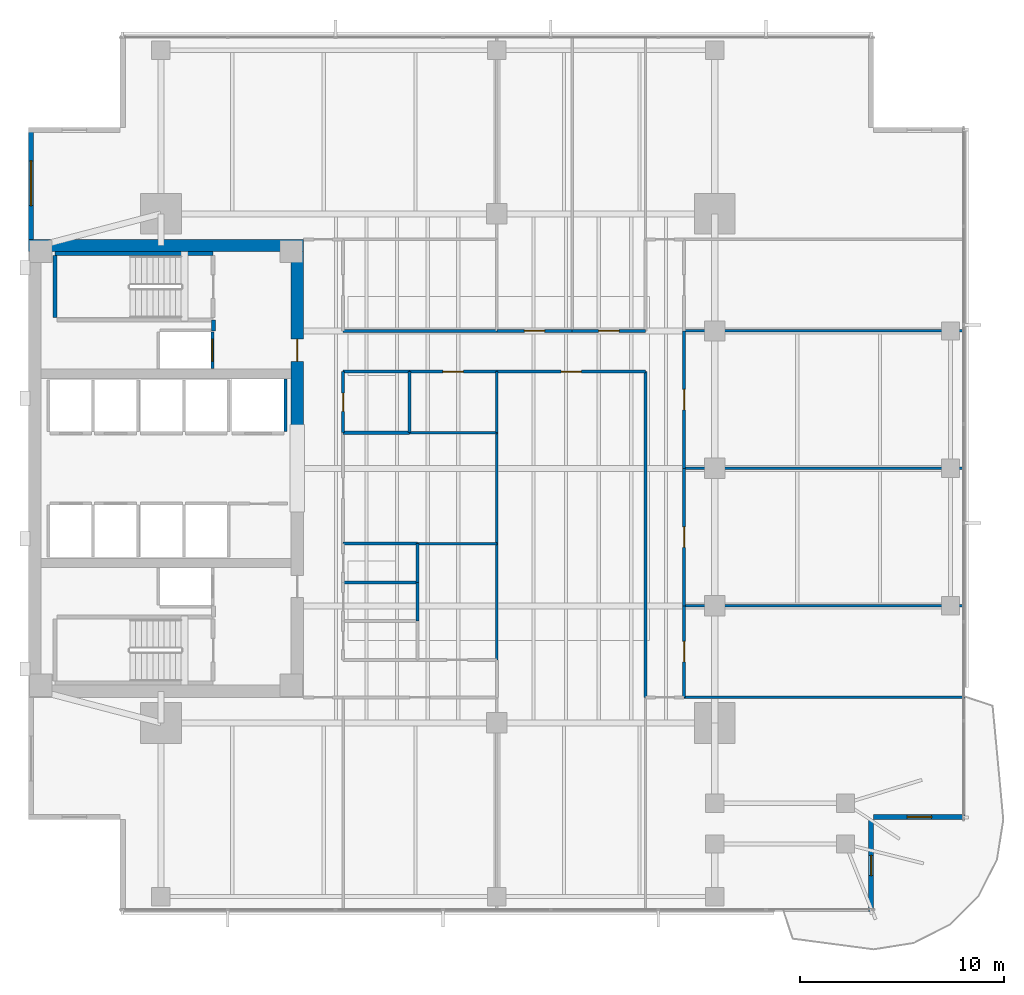
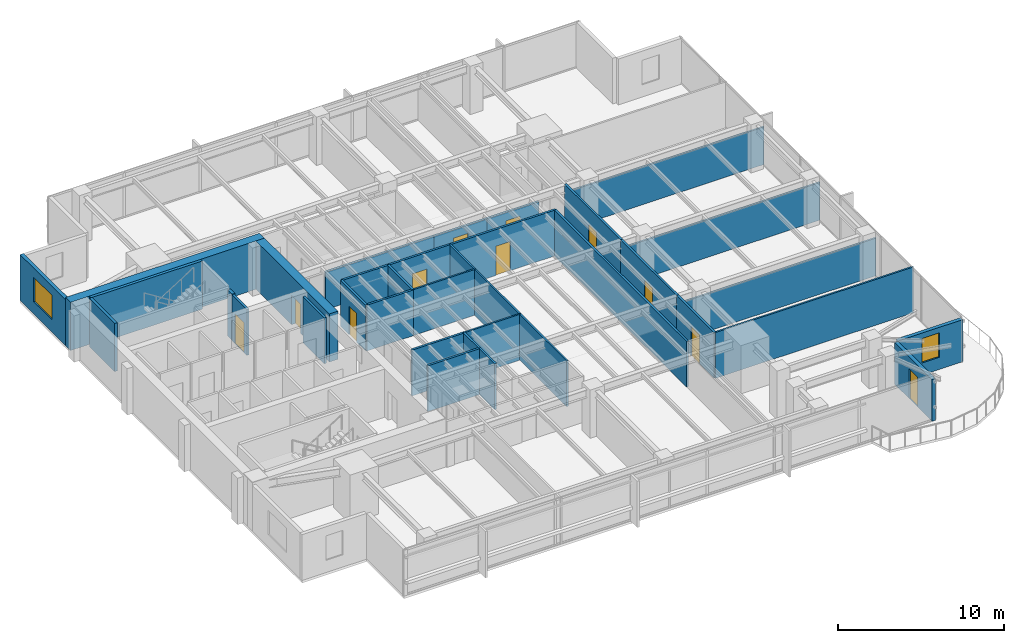
# One storey, part 9 of 14: 36 walls, 11 doors, 2 windows, 13 openings.
"""IFC4 building model written with IfcOpenShell, lengths in metres."""

from ifc_helpers import new_model, si_unit, direction, frame, frame_2d, origin, place, context, subcontext, project, spatial, rectangle, extrude, material, layer, layer_set, type_object, element, fill, save


model = new_model("IFC4")

# Units and contexts
model_context = context("Model", 3, precision=1e-05, world=origin(), true_north=direction((0.0, 1.0)))
body_context = subcontext(model_context, "Body", "Model", "MODEL_VIEW")
ifc_project = project(units=[si_unit("LENGTHUNIT", "METRE"), si_unit("AREAUNIT", "SQUARE_METRE"), si_unit("VOLUMEUNIT", "CUBIC_METRE"), si_unit("PLANEANGLEUNIT", "RADIAN"), si_unit("MASSUNIT", "GRAM", prefix="KILO")], contexts=[model_context])

# Site, building, storey
site_placement = place(None, origin())
site = spatial("IfcSite", under=ifc_project, at=site_placement, CompositionType="ELEMENT")
building_placement = place(site_placement, origin())
building = spatial("IfcBuilding", under=site, at=building_placement, Name="Kinhvarn Gate Tower", CompositionType="ELEMENT")
storey_placement = place(building_placement, frame((0.0, 0.0, 148.39990234375)))
storey = spatial("IfcBuildingStorey", under=building, at=storey_placement, Name="L39", CompositionType="ELEMENT", Elevation=148.39990234375)

# Wall
ifc_material_1 = material(Name="Concrete C60/75", Category="concrete")
ifc_layer_1 = layer(ifc_material_1, 0.60009765625)
ifc_layer_set_1 = layer_set([ifc_layer_1], Name="Concrete C60/75")
wall_type_1 = type_object("IfcWallType", Name="WL-CORE-600", PredefinedType="SHEAR", material=ifc_layer_set_1)
wall_1_placement = place(storey_placement, frame((4.5, 36.199951171875, 0.0), z_axis=(0.0, 0.0, 1.0), x_axis=(1.0, 0.0, 0.0)))
element("IfcWall", 1, at=wall_1_placement, inside=storey, type_object=wall_type_1, Name="Core North Shear Wall L39 600 mm", PredefinedType="SHEAR", context=body_context, shape_type="SweptSolid", body=[
    extrude(rectangle(XDim=13.5, YDim=0.60009765625, at=frame_2d((6.75, 0.0))), origin(), (0.0, 0.0, 1.0), 3.550048828125),
])

# Wall, opening, door
wall_2_placement = place(storey_placement, frame((17.699951171875, 27.050048828125, 0.0), z_axis=(0.0, 0.0, 1.0), x_axis=(0.0, 1.0, 0.0)))
wall_2 = element("IfcWall", 2, at=wall_2_placement, inside=storey, type_object=wall_type_1, Name="Core East-North Shear Pier L39 600 mm", PredefinedType="SHEAR", context=body_context, shape_type="SweptSolid", body=[
    extrude(rectangle(XDim=8.849853515625, YDim=0.60009765625, at=frame_2d((4.4248046875, 0.0))), origin(), (0.0, 0.0, 1.0), 3.550048828125),
])
opening_1_placement = place(wall_2_placement, frame((3.449951171875, 0.0, 0.0)))
opening_1 = element("IfcOpeningElement", 3, at=opening_1_placement, cuts=wall_2, Name="Opening FD-02", PredefinedType="OPENING", context=body_context, shape_type="SweptSolid", body=[
    extrude(rectangle(XDim=1.10009765625, YDim=2.14990234375, at=frame_2d((0.550048828125, 1.074951171875))), frame((0.0, 0.31005859375, 0.0), z_axis=(0.0, -1.0, 0.0), x_axis=(1.0, 0.0, 0.0)), (0.0, 0.0, 1.0), 0.6201171875),
])
ifc_material_2 = material(Name="Anodised aluminium AW-6063", Category="aluminium")
door_type_1 = type_object("IfcDoorType", Name="DR-FD-1100", OperationType="NOTDEFINED", PredefinedType="DOOR", material=ifc_material_2)
door_1_placement = place(opening_1_placement, origin())
door_1 = element("IfcDoor", 4, at=door_1_placement, inside=storey, type_object=door_type_1, Name="Firefighting Lobby Core Door (L39)", OperationType="SINGLE_SWING_LEFT", OverallHeight=2.14990234375, OverallWidth=1.10009765625, PredefinedType="DOOR", context=body_context, shape_type="SweptSolid", body=[
    extrude(rectangle(XDim=1.10009765625, YDim=2.14990234375, at=frame_2d((0.550048828125, 1.074951171875))), frame((0.0, 0.02490234375, 0.0), z_axis=(0.0, -1.0, 0.0), x_axis=(1.0, 0.0, 0.0)), (0.0, 0.0, 1.0), 0.050048828125),
])
fill(opening_1, door_1)

# Wall, opening, window
ifc_material_3 = material(Name="Fired architectural terracotta", Category="masonry")
ifc_layer_2 = layer(ifc_material_3, 0.25)
ifc_layer_set_2 = layer_set([ifc_layer_2], Name="Fired architectural terracotta")
wall_type_2 = type_object("IfcWallType", Name="WL-EXT-250", PredefinedType="SOLIDWALL", material=ifc_layer_set_2)
wall_3_placement = place(storey_placement, frame((4.625, 42.0, 0.0), z_axis=(0.0, 0.0, 1.0), x_axis=(0.0, -1.0, 0.0)))
wall_3 = element("IfcWall", 5, at=wall_3_placement, inside=storey, type_object=wall_type_2, Name="Exterior Solidwall Wall EW-250 (L39 West-North)", PredefinedType="SOLIDWALL", context=body_context, shape_type="SweptSolid", body=[
    extrude(rectangle(XDim=5.5, YDim=0.25, at=frame_2d((2.75, 0.0))), origin(), (0.0, 0.0, 1.0), 3.3701171875),
])
opening_2_placement = place(wall_3_placement, frame((1.64990234375, 0.0, 0.89990234375)))
opening_2 = element("IfcOpeningElement", 6, at=opening_2_placement, cuts=wall_3, Name="Opening WN-01", PredefinedType="OPENING", context=body_context, shape_type="SweptSolid", body=[
    extrude(rectangle(XDim=2.199951171875, YDim=1.800048828125, at=frame_2d((1.10009765625, 0.89990234375))), frame((0.0, 0.135009765625, 0.0), z_axis=(0.0, -1.0, 0.0), x_axis=(1.0, 0.0, 0.0)), (0.0, 0.0, 1.0), 0.27001953125),
])
ifc_material_4 = material(Name="Clear low-e double glazing", Category="glass")
window_type_1 = type_object("IfcWindowType", Name="WIN-RIB-2200", PartitioningType="SINGLE_PANEL", PredefinedType="WINDOW", material=ifc_material_4)
window_1_placement = place(opening_2_placement, origin())
window_1 = element("IfcWindow", 7, at=window_1_placement, inside=storey, type_object=window_type_1, Name="West Flank Double-Glazed Ribbon Window 2200x1800 mm (L39)", OverallHeight=1.800048828125, OverallWidth=2.199951171875, PartitioningType="SINGLE_PANEL", PredefinedType="WINDOW", context=body_context, shape_type="SweptSolid", body=[
    extrude(rectangle(XDim=2.199951171875, YDim=1.800048828125, at=frame_2d((1.10009765625, 0.89990234375))), frame((0.0, 0.030029296875, 0.0), z_axis=(0.0, -1.0, 0.0), x_axis=(1.0, 0.0, 0.0)), (0.0, 0.0, 1.0), 0.06005859375),
])
fill(opening_2, window_1)

# Wall, opening, door
wall_4_placement = place(storey_placement, frame((45.875, 3.5, 0.0), z_axis=(0.0, 0.0, 1.0), x_axis=(0.0, 1.0, 0.0)))
wall_4 = element("IfcWall", 8, at=wall_4_placement, inside=storey, type_object=wall_type_2, Name="Exterior Solidwall Wall EW-250 (L39 SE-Notch-Door)", PredefinedType="SOLIDWALL", context=body_context, shape_type="SweptSolid", body=[
    extrude(rectangle(XDim=4.5, YDim=0.25, at=frame_2d((2.25, 0.0))), origin(), (0.0, 0.0, 1.0), 3.070068359375),
])
opening_3_placement = place(wall_4_placement, frame((1.75, 0.0, 0.0)))
opening_3 = element("IfcOpeningElement", 9, at=opening_3_placement, cuts=wall_4, Name="Opening BD-01", PredefinedType="OPENING", context=body_context, shape_type="SweptSolid", body=[
    extrude(rectangle(XDim=1.0, YDim=2.199951171875, at=frame_2d((0.5, 1.10009765625))), frame((0.0, 0.135009765625, 0.0), z_axis=(0.0, -1.0, 0.0), x_axis=(1.0, 0.0, 0.0)), (0.0, 0.0, 1.0), 0.27001953125),
])
door_type_2 = type_object("IfcDoorType", Name="DR-BAL-1000", OperationType="NOTDEFINED", PredefinedType="DOOR", material=ifc_material_4)
door_2_placement = place(opening_3_placement, frame((1.0, 0.0, 0.0), z_axis=(0.0, 0.0, 1.0), x_axis=(-1.0, 0.0, 0.0)))
door_2 = element("IfcDoor", 10, at=door_2_placement, inside=storey, type_object=door_type_2, Name="S-Carve Balcony Door BD-01 (L39)", OperationType="SINGLE_SWING_LEFT", OverallHeight=2.199951171875, OverallWidth=1.0, PredefinedType="DOOR", context=body_context, shape_type="SweptSolid", body=[
    extrude(rectangle(XDim=1.0, YDim=2.199951171875, at=frame_2d((0.5, 1.10009765625))), frame((0.0, 0.02490234375, 0.0), z_axis=(0.0, -1.0, 0.0), x_axis=(1.0, 0.0, 0.0)), (0.0, 0.0, 1.0), 0.050048828125),
])
fill(opening_3, door_2)

# Wall, opening, window
wall_5_placement = place(storey_placement, frame((46.0, 8.125, 0.0), z_axis=(0.0, 0.0, 1.0), x_axis=(1.0, 0.0, 0.0)))
wall_5 = element("IfcWall", 11, at=wall_5_placement, inside=storey, type_object=wall_type_2, Name="Exterior Solidwall Wall EW-250 (L39 SE-Notch-Win)", PredefinedType="SOLIDWALL", context=body_context, shape_type="SweptSolid", body=[
    extrude(rectangle(XDim=4.5, YDim=0.25, at=frame_2d((2.25, 0.0))), origin(), (0.0, 0.0, 1.0), 3.10009765625),
])
opening_4_placement = place(wall_5_placement, frame((1.64990234375, 0.0, 0.89990234375)))
opening_4 = element("IfcOpeningElement", 12, at=opening_4_placement, cuts=wall_5, Name="Opening WN-02", PredefinedType="OPENING", context=body_context, shape_type="SweptSolid", body=[
    extrude(rectangle(XDim=1.199951171875, YDim=1.800048828125, at=frame_2d((0.60009765625, 0.89990234375))), frame((0.0, 0.135009765625, 0.0), z_axis=(0.0, -1.0, 0.0), x_axis=(1.0, 0.0, 0.0)), (0.0, 0.0, 1.0), 0.27001953125),
])
window_type_2 = type_object("IfcWindowType", Name="WIN-NTC-1200", PartitioningType="SINGLE_PANEL", PredefinedType="WINDOW", material=ifc_material_4)
window_2_placement = place(opening_4_placement, origin())
window_2 = element("IfcWindow", 13, at=window_2_placement, inside=storey, type_object=window_type_2, Name="Recessed Corner Notch Punched Window 1200x1800 mm (L39)", OverallHeight=1.800048828125, OverallWidth=1.199951171875, PartitioningType="SINGLE_PANEL", PredefinedType="WINDOW", context=body_context, shape_type="SweptSolid", body=[
    extrude(rectangle(XDim=1.199951171875, YDim=1.800048828125, at=frame_2d((0.60009765625, 0.89990234375))), frame((0.0, 0.030029296875, 0.0), z_axis=(0.0, -1.0, 0.0), x_axis=(1.0, 0.0, 0.0)), (0.0, 0.0, 1.0), 0.06005859375),
])
fill(opening_4, window_2)

# Walls
ifc_material_5 = material(Name="Gypsum acoustic partition board")
ifc_layer_3 = layer(ifc_material_5, 0.14990234375)
ifc_layer_set_3 = layer_set([ifc_layer_3], Name="Gypsum acoustic partition board")
wall_type_3 = type_object("IfcWallType", Name="WL-PLM-150", PredefinedType="PLUMBINGWALL", material=ifc_layer_set_3)
wall_6_placement = place(storey_placement, frame((19.949951171875, 19.64990234375, 0.0), z_axis=(0.0, 0.0, 1.0), x_axis=(1.0, 0.0, 0.0)))
element("IfcWall", 14, at=wall_6_placement, inside=storey, type_object=wall_type_3, Name="Interior Partition PLW-150 (L39)", PredefinedType="PLUMBINGWALL", context=body_context, shape_type="SweptSolid", body=[
    extrude(rectangle(XDim=3.650146484375, YDim=0.14990234375, at=frame_2d((1.8251953125, 0.0))), origin(), (0.0, 0.0, 1.0), 3.3701171875),
])
wall_7_placement = place(storey_placement, frame((23.60009765625, 17.75, 0.0), z_axis=(0.0, 0.0, 1.0), x_axis=(0.0, 1.0, 0.0)))
element("IfcWall", 15, at=wall_7_placement, inside=storey, type_object=wall_type_3, Name="Interior Partition PLW-150 (L39)", PredefinedType="PLUMBINGWALL", context=body_context, shape_type="SweptSolid", body=[
    extrude(rectangle(XDim=1.89990234375, YDim=0.14990234375, at=frame_2d((0.949951171875, 0.0))), origin(), (0.0, 0.0, 1.0), 3.3701171875),
])
wall_8_placement = place(storey_placement, frame((23.60009765625, 19.64990234375, 0.0), z_axis=(0.0, 0.0, 1.0), x_axis=(0.0, 1.0, 0.0)))
element("IfcWall", 16, at=wall_8_placement, inside=storey, type_object=wall_type_3, Name="Interior Partition PLW-150 (L39)", PredefinedType="PLUMBINGWALL", context=body_context, shape_type="SweptSolid", body=[
    extrude(rectangle(XDim=1.900146484375, YDim=0.14990234375, at=frame_2d((0.9501953125, 0.0))), origin(), (0.0, 0.0, 1.0), 3.3701171875),
])
wall_9_placement = place(storey_placement, frame((19.949951171875, 21.550048828125, 0.0), z_axis=(0.0, 0.0, 1.0), x_axis=(1.0, 0.0, 0.0)))
element("IfcWall", 17, at=wall_9_placement, inside=storey, type_object=wall_type_3, Name="Interior Partition PLW-150 (L39)", PredefinedType="PLUMBINGWALL", context=body_context, shape_type="SweptSolid", body=[
    extrude(rectangle(XDim=3.650146484375, YDim=0.14990234375, at=frame_2d((1.8251953125, 0.0))), origin(), (0.0, 0.0, 1.0), 3.3701171875),
])
wall_10_placement = place(storey_placement, frame((19.949951171875, 27.0, 0.0), z_axis=(0.0, 0.0, 1.0), x_axis=(1.0, 0.0, 0.0)))
element("IfcWall", 18, at=wall_10_placement, inside=storey, type_object=wall_type_3, Name="Interior Partition PLW-150 (L39)", PredefinedType="PLUMBINGWALL", context=body_context, shape_type="SweptSolid", body=[
    extrude(rectangle(XDim=3.25, YDim=0.14990234375, at=frame_2d((1.625, 0.0))), origin(), (0.0, 0.0, 1.0), 3.3701171875),
])
wall_11_placement = place(storey_placement, frame((23.199951171875, 27.0, 0.0), z_axis=(0.0, 0.0, 1.0), x_axis=(0.0, 1.0, 0.0)))
element("IfcWall", 19, at=wall_11_placement, inside=storey, type_object=wall_type_3, Name="Interior Partition PLW-150 (L39)", PredefinedType="PLUMBINGWALL", context=body_context, shape_type="SweptSolid", body=[
    extrude(rectangle(XDim=3.0, YDim=0.14990234375, at=frame_2d((1.5, 0.0))), origin(), (0.0, 0.0, 1.0), 3.3701171875),
])

# Wall, opening, door
ifc_layer_4 = layer(ifc_material_5, 0.14990234375)
ifc_layer_set_4 = layer_set([ifc_layer_4], Name="Gypsum acoustic partition board")
wall_type_4 = type_object("IfcWallType", Name="WL-PLM-150F", PredefinedType="PLUMBINGWALL", material=ifc_layer_set_4)
wall_12_placement = place(storey_placement, frame((19.949951171875, 27.0, 0.0), z_axis=(0.0, 0.0, 1.0), x_axis=(0.0, 1.0, 0.0)))
wall_12 = element("IfcWall", 20, at=wall_12_placement, inside=storey, type_object=wall_type_4, Name="Interior Partition PLW-150F (L39)", PredefinedType="PLUMBINGWALL", context=body_context, shape_type="SweptSolid", body=[
    extrude(rectangle(XDim=3.0, YDim=0.14990234375, at=frame_2d((1.5, 0.0))), origin(), (0.0, 0.0, 1.0), 3.3701171875),
])
opening_5_placement = place(wall_12_placement, frame((1.050048828125, 0.0, 0.0)))
opening_5 = element("IfcOpeningElement", 21, at=opening_5_placement, cuts=wall_12, Name="Opening FD-04", PredefinedType="OPENING", context=body_context, shape_type="SweptSolid", body=[
    extrude(rectangle(XDim=0.89990234375, YDim=2.10009765625, at=frame_2d((0.449951171875, 1.050048828125))), frame((0.0, 0.0849609375, 0.0), z_axis=(0.0, -1.0, 0.0), x_axis=(1.0, 0.0, 0.0)), (0.0, 0.0, 1.0), 0.169921875),
])
door_type_3 = type_object("IfcDoorType", Name="DR-FD-900", OperationType="NOTDEFINED", PredefinedType="DOOR", material=ifc_material_2)
door_3_placement = place(opening_5_placement, origin())
door_3 = element("IfcDoor", 22, at=door_3_placement, inside=storey, type_object=door_type_3, Name="Rated Riser & Service Closet Fire Door 900x2100 mm (L39)", OperationType="SINGLE_SWING_RIGHT", OverallHeight=2.10009765625, OverallWidth=0.89990234375, PredefinedType="DOOR", context=body_context, shape_type="SweptSolid", body=[
    extrude(rectangle(XDim=0.89990234375, YDim=2.10009765625, at=frame_2d((0.449951171875, 1.050048828125))), frame((0.0, 0.02490234375, 0.0), z_axis=(0.0, -1.0, 0.0), x_axis=(1.0, 0.0, 0.0)), (0.0, 0.0, 1.0), 0.050048828125),
])
fill(opening_5, door_3)

# Walls
wall_13_placement = place(storey_placement, frame((19.949951171875, 30.0, 0.0), z_axis=(0.0, 0.0, 1.0), x_axis=(1.0, 0.0, 0.0)))
element("IfcWall", 23, at=wall_13_placement, inside=storey, type_object=wall_type_4, Name="Interior Partition PLW-150F (L39)", PredefinedType="PLUMBINGWALL", context=body_context, shape_type="SweptSolid", body=[
    extrude(rectangle(XDim=3.25, YDim=0.14990234375, at=frame_2d((1.625, 0.0))), origin(), (0.0, 0.0, 1.0), 3.3701171875),
])
ifc_layer_5 = layer(ifc_material_5, 0.1201171875)
ifc_layer_set_5 = layer_set([ifc_layer_5], Name="Gypsum acoustic partition board")
wall_type_5 = type_object("IfcWallType", Name="WL-PRT-120", PredefinedType="PARTITIONING", material=ifc_layer_set_5)
wall_14_placement = place(storey_placement, frame((23.60009765625, 21.550048828125, 0.0), z_axis=(0.0, 0.0, 1.0), x_axis=(1.0, 0.0, 0.0)))
element("IfcWall", 24, at=wall_14_placement, inside=storey, type_object=wall_type_5, Name="Interior Partition PW-120 (L39)", PredefinedType="PARTITIONING", context=body_context, shape_type="SweptSolid", body=[
    extrude(rectangle(XDim=3.89990234375, YDim=0.1201171875, at=frame_2d((1.949951171875, 0.0))), origin(), (0.0, 0.0, 1.0), 3.3701171875),
])
wall_15_placement = place(storey_placement, frame((27.5, 15.85009765625, 0.0), z_axis=(0.0, 0.0, 1.0), x_axis=(0.0, 1.0, 0.0)))
element("IfcWall", 25, at=wall_15_placement, inside=storey, type_object=wall_type_5, Name="Interior Partition PW-120 (L39)", PredefinedType="PARTITIONING", context=body_context, shape_type="SweptSolid", body=[
    extrude(rectangle(XDim=5.699951171875, YDim=0.1201171875, at=frame_2d((2.85009765625, 0.0))), origin(), (0.0, 0.0, 1.0), 3.3701171875),
])
wall_16_placement = place(storey_placement, frame((23.199951171875, 27.0, 0.0), z_axis=(0.0, 0.0, 1.0), x_axis=(1.0, 0.0, 0.0)))
element("IfcWall", 26, at=wall_16_placement, inside=storey, type_object=wall_type_5, Name="Interior Partition PW-120 (L39)", PredefinedType="PARTITIONING", context=body_context, shape_type="SweptSolid", body=[
    extrude(rectangle(XDim=4.300048828125, YDim=0.1201171875, at=frame_2d((2.14990234375, 0.0))), origin(), (0.0, 0.0, 1.0), 3.3701171875),
])
wall_17_placement = place(storey_placement, frame((27.5, 21.550048828125, 0.0), z_axis=(0.0, 0.0, 1.0), x_axis=(0.0, 1.0, 0.0)))
element("IfcWall", 27, at=wall_17_placement, inside=storey, type_object=wall_type_5, Name="Interior Partition PW-120 (L39)", PredefinedType="PARTITIONING", context=body_context, shape_type="SweptSolid", body=[
    extrude(rectangle(XDim=5.449951171875, YDim=0.1201171875, at=frame_2d((2.72509765625, 0.0))), origin(), (0.0, 0.0, 1.0), 3.3701171875),
])
wall_18_placement = place(storey_placement, frame((27.5, 27.0, 0.0), z_axis=(0.0, 0.0, 1.0), x_axis=(0.0, 1.0, 0.0)))
element("IfcWall", 28, at=wall_18_placement, inside=storey, type_object=wall_type_5, Name="Interior Partition PW-120 (L39)", PredefinedType="PARTITIONING", context=body_context, shape_type="SweptSolid", body=[
    extrude(rectangle(XDim=3.0, YDim=0.1201171875, at=frame_2d((1.5, 0.0))), origin(), (0.0, 0.0, 1.0), 3.3701171875),
])
wall_19_placement = place(storey_placement, frame((36.699951171875, 14.0, 0.0), z_axis=(0.0, 0.0, 1.0), x_axis=(1.0, 0.0, 0.0)))
element("IfcWall", 29, at=wall_19_placement, inside=storey, type_object=wall_type_5, Name="Interior Partition PW-120 (L39)", PredefinedType="PARTITIONING", context=body_context, shape_type="SweptSolid", body=[
    extrude(rectangle(XDim=13.7900390625, YDim=0.1201171875, at=frame_2d((6.89501953125, 0.0))), origin(), (0.0, 0.0, 1.0), 3.3701171875),
])
for number, where, z_axis, x_axis, name in (
    (30, (36.699951171875, 18.5, 0.0), (0.0, 0.0, 1.0), (1.0, 0.0, 0.0), "Interior Partition PW-120 (L39)"),
    (31, (36.699951171875, 25.25, 0.0), (0.0, 0.0, 1.0), (1.0, 0.0, 0.0), "Interior Partition PW-120 (L39)"),
    (32, (36.699951171875, 32.0, 0.0), (0.0, 0.0, 1.0), (1.0, 0.0, 0.0), "Interior Partition PW-120 (L39)"),
):
    element("IfcWall", number, at=place(storey_placement, frame(where, z_axis=z_axis, x_axis=x_axis)), inside=storey, type_object=wall_type_5, Name=name, PredefinedType="PARTITIONING", context=body_context, shape_type="SweptSolid", body=[
        extrude(rectangle(XDim=13.7900390625, YDim=0.1201171875, at=frame_2d((6.89501953125, 0.0))), origin(), (0.0, 0.0, 1.0), 2.77001953125),
    ])

# Wall, opening, door
ifc_layer_6 = layer(ifc_material_5, 0.14990234375)
ifc_layer_set_6 = layer_set([ifc_layer_6], Name="Gypsum acoustic partition board")
wall_type_6 = type_object("IfcWallType", Name="WL-PRT-150F", PredefinedType="PARTITIONING", material=ifc_layer_set_6)
wall_20_placement = place(storey_placement, frame((23.199951171875, 30.0, 0.0), z_axis=(0.0, 0.0, 1.0), x_axis=(1.0, 0.0, 0.0)))
wall_20 = element("IfcWall", 33, at=wall_20_placement, inside=storey, type_object=wall_type_6, Name="Interior Partition PW-150F (L39)", PredefinedType="PARTITIONING", context=body_context, shape_type="SweptSolid", body=[
    extrude(rectangle(XDim=4.300048828125, YDim=0.14990234375, at=frame_2d((2.14990234375, 0.0))), origin(), (0.0, 0.0, 1.0), 3.3701171875),
])
opening_6_placement = place(wall_20_placement, frame((1.64990234375, 0.0, 0.0)))
opening_6 = element("IfcOpeningElement", 34, at=opening_6_placement, cuts=wall_20, Name="Opening ID-02", PredefinedType="OPENING", context=body_context, shape_type="SweptSolid", body=[
    extrude(rectangle(XDim=1.0, YDim=2.14990234375, at=frame_2d((0.5, 1.074951171875))), frame((0.0, 0.0849609375, 0.0), z_axis=(0.0, -1.0, 0.0), x_axis=(1.0, 0.0, 0.0)), (0.0, 0.0, 1.0), 0.169921875),
])
door_type_4 = type_object("IfcDoorType", Name="DR-INT-1000", OperationType="NOTDEFINED", PredefinedType="DOOR", material=ifc_material_2)
door_4_placement = place(opening_6_placement, origin())
door_4 = element("IfcDoor", 35, at=door_4_placement, inside=storey, type_object=door_type_4, Name="Standard Office & Meeting Room Door 1000x2150 mm (L39)", OperationType="SINGLE_SWING_RIGHT", OverallHeight=2.14990234375, OverallWidth=1.0, PredefinedType="DOOR", context=body_context, shape_type="SweptSolid", body=[
    extrude(rectangle(XDim=1.0, YDim=2.14990234375, at=frame_2d((0.5, 1.074951171875))), frame((0.0, 0.02490234375, 0.0), z_axis=(0.0, -1.0, 0.0), x_axis=(1.0, 0.0, 0.0)), (0.0, 0.0, 1.0), 0.050048828125),
])
fill(opening_6, door_4)

# Wall
wall_21_placement = place(storey_placement, frame((19.949951171875, 32.0, 0.0), z_axis=(0.0, 0.0, 1.0), x_axis=(1.0, 0.0, 0.0)))
element("IfcWall", 36, at=wall_21_placement, inside=storey, type_object=wall_type_6, Name="Interior Partition PW-150F (L39)", PredefinedType="PARTITIONING", context=body_context, shape_type="SweptSolid", body=[
    extrude(rectangle(XDim=7.550048828125, YDim=0.14990234375, at=frame_2d((3.77490234375, 0.0))), origin(), (0.0, 0.0, 1.0), 2.77001953125),
])

# Wall, opening, door
wall_22_placement = place(storey_placement, frame((27.5, 30.0, 0.0), z_axis=(0.0, 0.0, 1.0), x_axis=(1.0, 0.0, 0.0)))
wall_22 = element("IfcWall", 37, at=wall_22_placement, inside=storey, type_object=wall_type_6, Name="Interior Partition PW-150F (L39)", PredefinedType="PARTITIONING", context=body_context, shape_type="SweptSolid", body=[
    extrude(rectangle(XDim=7.300048828125, YDim=0.14990234375, at=frame_2d((3.64990234375, 0.0))), origin(), (0.0, 0.0, 1.0), 3.3701171875),
])
opening_7_placement = place(wall_22_placement, frame((3.14990234375, 0.0, 0.0)))
opening_7 = element("IfcOpeningElement", 38, at=opening_7_placement, cuts=wall_22, Name="Opening ID-02", PredefinedType="OPENING", context=body_context, shape_type="SweptSolid", body=[
    extrude(rectangle(XDim=1.0, YDim=2.14990234375, at=frame_2d((0.5, 1.074951171875))), frame((0.0, 0.0849609375, 0.0), z_axis=(0.0, -1.0, 0.0), x_axis=(1.0, 0.0, 0.0)), (0.0, 0.0, 1.0), 0.169921875),
])
door_5_placement = place(opening_7_placement, origin())
door_5 = element("IfcDoor", 39, at=door_5_placement, inside=storey, type_object=door_type_4, Name="Standard Office & Meeting Room Door 1000x2150 mm (L39)", OperationType="SINGLE_SWING_LEFT", OverallHeight=2.14990234375, OverallWidth=1.0, PredefinedType="DOOR", context=body_context, shape_type="SweptSolid", body=[
    extrude(rectangle(XDim=1.0, YDim=2.14990234375, at=frame_2d((0.5, 1.074951171875))), frame((0.0, 0.02490234375, 0.0), z_axis=(0.0, -1.0, 0.0), x_axis=(1.0, 0.0, 0.0)), (0.0, 0.0, 1.0), 0.050048828125),
])
fill(opening_7, door_5)

wall_23_placement = place(storey_placement, frame((27.5, 32.0, 0.0), z_axis=(0.0, 0.0, 1.0), x_axis=(1.0, 0.0, 0.0)))
wall_23 = element("IfcWall", 40, at=wall_23_placement, inside=storey, type_object=wall_type_6, Name="Interior Partition PW-150F (L39)", PredefinedType="PARTITIONING", context=body_context, shape_type="SweptSolid", body=[
    extrude(rectangle(XDim=3.699951171875, YDim=0.14990234375, at=frame_2d((1.85009765625, 0.0))), origin(), (0.0, 0.0, 1.0), 2.77001953125),
])
opening_8_placement = place(wall_23_placement, frame((1.35009765625, 0.0, 0.0)))
opening_8 = element("IfcOpeningElement", 41, at=opening_8_placement, cuts=wall_23, Name="Opening ID-02", PredefinedType="OPENING", context=body_context, shape_type="SweptSolid", body=[
    extrude(rectangle(XDim=1.0, YDim=2.14990234375, at=frame_2d((0.5, 1.074951171875))), frame((0.0, 0.0849609375, 0.0), z_axis=(0.0, -1.0, 0.0), x_axis=(1.0, 0.0, 0.0)), (0.0, 0.0, 1.0), 0.169921875),
])
door_6_placement = place(opening_8_placement, origin())
door_6 = element("IfcDoor", 42, at=door_6_placement, inside=storey, type_object=door_type_4, Name="Standard Office & Meeting Room Door 1000x2150 mm (L39)", OperationType="SINGLE_SWING_RIGHT", OverallHeight=2.14990234375, OverallWidth=1.0, PredefinedType="DOOR", context=body_context, shape_type="SweptSolid", body=[
    extrude(rectangle(XDim=1.0, YDim=2.14990234375, at=frame_2d((0.5, 1.074951171875))), frame((0.0, 0.02490234375, 0.0), z_axis=(0.0, -1.0, 0.0), x_axis=(1.0, 0.0, 0.0)), (0.0, 0.0, 1.0), 0.050048828125),
])
fill(opening_8, door_6)

wall_24_placement = place(storey_placement, frame((31.199951171875, 32.0, 0.0), z_axis=(0.0, 0.0, 1.0), x_axis=(1.0, 0.0, 0.0)))
wall_24 = element("IfcWall", 43, at=wall_24_placement, inside=storey, type_object=wall_type_6, Name="Interior Partition PW-150F (L39)", PredefinedType="PARTITIONING", context=body_context, shape_type="SweptSolid", body=[
    extrude(rectangle(XDim=3.60009765625, YDim=0.14990234375, at=frame_2d((1.800048828125, 0.0))), origin(), (0.0, 0.0, 1.0), 2.77001953125),
])
opening_9_placement = place(wall_24_placement, frame((1.300048828125, 0.0, 0.0)))
opening_9 = element("IfcOpeningElement", 44, at=opening_9_placement, cuts=wall_24, Name="Opening ID-02", PredefinedType="OPENING", context=body_context, shape_type="SweptSolid", body=[
    extrude(rectangle(XDim=1.0, YDim=2.14990234375, at=frame_2d((0.5, 1.074951171875))), frame((0.0, 0.0849609375, 0.0), z_axis=(0.0, -1.0, 0.0), x_axis=(1.0, 0.0, 0.0)), (0.0, 0.0, 1.0), 0.169921875),
])
door_7_placement = place(opening_9_placement, origin())
door_7 = element("IfcDoor", 45, at=door_7_placement, inside=storey, type_object=door_type_4, Name="Standard Office & Meeting Room Door 1000x2150 mm (L39)", OperationType="SINGLE_SWING_LEFT", OverallHeight=2.14990234375, OverallWidth=1.0, PredefinedType="DOOR", context=body_context, shape_type="SweptSolid", body=[
    extrude(rectangle(XDim=1.0, YDim=2.14990234375, at=frame_2d((0.5, 1.074951171875))), frame((0.0, 0.02490234375, 0.0), z_axis=(0.0, -1.0, 0.0), x_axis=(1.0, 0.0, 0.0)), (0.0, 0.0, 1.0), 0.050048828125),
])
fill(opening_9, door_7)

# Wall
wall_25_placement = place(storey_placement, frame((34.800048828125, 14.0, 0.0), z_axis=(0.0, 0.0, 1.0), x_axis=(0.0, 1.0, 0.0)))
element("IfcWall", 46, at=wall_25_placement, inside=storey, type_object=wall_type_6, Name="Interior Partition PW-150F (L39)", PredefinedType="PARTITIONING", context=body_context, shape_type="SweptSolid", body=[
    extrude(rectangle(XDim=16.0, YDim=0.14990234375, at=frame_2d((8.0, 0.0))), origin(), (0.0, 0.0, 1.0), 3.3701171875),
])

# Wall, opening, door
wall_26_placement = place(storey_placement, frame((36.699951171875, 14.0, 0.0), z_axis=(0.0, 0.0, 1.0), x_axis=(0.0, 1.0, 0.0)))
wall_26 = element("IfcWall", 47, at=wall_26_placement, inside=storey, type_object=wall_type_6, Name="Interior Partition PW-150F (L39)", PredefinedType="PARTITIONING", context=body_context, shape_type="SweptSolid", body=[
    extrude(rectangle(XDim=4.5, YDim=0.14990234375, at=frame_2d((2.25, 0.0))), origin(), (0.0, 0.0, 1.0), 3.3701171875),
])
opening_10_placement = place(wall_26_placement, frame((1.75, 0.0, 0.0)))
opening_10 = element("IfcOpeningElement", 48, at=opening_10_placement, cuts=wall_26, Name="Opening ID-02", PredefinedType="OPENING", context=body_context, shape_type="SweptSolid", body=[
    extrude(rectangle(XDim=1.0, YDim=2.14990234375, at=frame_2d((0.5, 1.074951171875))), frame((0.0, 0.0849609375, 0.0), z_axis=(0.0, -1.0, 0.0), x_axis=(1.0, 0.0, 0.0)), (0.0, 0.0, 1.0), 0.169921875),
])
door_8_placement = place(opening_10_placement, origin())
door_8 = element("IfcDoor", 49, at=door_8_placement, inside=storey, type_object=door_type_4, Name="Standard Office & Meeting Room Door 1000x2150 mm (L39)", OperationType="SINGLE_SWING_LEFT", OverallHeight=2.14990234375, OverallWidth=1.0, PredefinedType="DOOR", context=body_context, shape_type="SweptSolid", body=[
    extrude(rectangle(XDim=1.0, YDim=2.14990234375, at=frame_2d((0.5, 1.074951171875))), frame((0.0, 0.02490234375, 0.0), z_axis=(0.0, -1.0, 0.0), x_axis=(1.0, 0.0, 0.0)), (0.0, 0.0, 1.0), 0.050048828125),
])
fill(opening_10, door_8)

wall_27_placement = place(storey_placement, frame((36.699951171875, 18.5, 0.0), z_axis=(0.0, 0.0, 1.0), x_axis=(0.0, 1.0, 0.0)))
wall_27 = element("IfcWall", 50, at=wall_27_placement, inside=storey, type_object=wall_type_6, Name="Interior Partition PW-150F (L39)", PredefinedType="PARTITIONING", context=body_context, shape_type="SweptSolid", body=[
    extrude(rectangle(XDim=6.75, YDim=0.14990234375, at=frame_2d((3.375, 0.0))), origin(), (0.0, 0.0, 1.0), 3.3701171875),
])
opening_11_placement = place(wall_27_placement, frame((2.875, 0.0, 0.0)))
opening_11 = element("IfcOpeningElement", 51, at=opening_11_placement, cuts=wall_27, Name="Opening ID-02", PredefinedType="OPENING", context=body_context, shape_type="SweptSolid", body=[
    extrude(rectangle(XDim=1.0, YDim=2.14990234375, at=frame_2d((0.5, 1.074951171875))), frame((0.0, 0.0849609375, 0.0), z_axis=(0.0, -1.0, 0.0), x_axis=(1.0, 0.0, 0.0)), (0.0, 0.0, 1.0), 0.169921875),
])
door_9_placement = place(opening_11_placement, origin())
door_9 = element("IfcDoor", 52, at=door_9_placement, inside=storey, type_object=door_type_4, Name="Standard Office & Meeting Room Door 1000x2150 mm (L39)", OperationType="SINGLE_SWING_RIGHT", OverallHeight=2.14990234375, OverallWidth=1.0, PredefinedType="DOOR", context=body_context, shape_type="SweptSolid", body=[
    extrude(rectangle(XDim=1.0, YDim=2.14990234375, at=frame_2d((0.5, 1.074951171875))), frame((0.0, 0.02490234375, 0.0), z_axis=(0.0, -1.0, 0.0), x_axis=(1.0, 0.0, 0.0)), (0.0, 0.0, 1.0), 0.050048828125),
])
fill(opening_11, door_9)

wall_28_placement = place(storey_placement, frame((36.699951171875, 25.25, 0.0), z_axis=(0.0, 0.0, 1.0), x_axis=(0.0, 1.0, 0.0)))
wall_28 = element("IfcWall", 53, at=wall_28_placement, inside=storey, type_object=wall_type_6, Name="Interior Partition PW-150F (L39)", PredefinedType="PARTITIONING", context=body_context, shape_type="SweptSolid", body=[
    extrude(rectangle(XDim=6.75, YDim=0.14990234375, at=frame_2d((3.375, 0.0))), origin(), (0.0, 0.0, 1.0), 3.3701171875),
])
opening_12_placement = place(wall_28_placement, frame((2.875, 0.0, 0.0)))
opening_12 = element("IfcOpeningElement", 54, at=opening_12_placement, cuts=wall_28, Name="Opening ID-02", PredefinedType="OPENING", context=body_context, shape_type="SweptSolid", body=[
    extrude(rectangle(XDim=1.0, YDim=2.14990234375, at=frame_2d((0.5, 1.074951171875))), frame((0.0, 0.0849609375, 0.0), z_axis=(0.0, -1.0, 0.0), x_axis=(1.0, 0.0, 0.0)), (0.0, 0.0, 1.0), 0.169921875),
])
door_10_placement = place(opening_12_placement, origin())
door_10 = element("IfcDoor", 55, at=door_10_placement, inside=storey, type_object=door_type_4, Name="Standard Office & Meeting Room Door 1000x2150 mm (L39)", OperationType="SINGLE_SWING_LEFT", OverallHeight=2.14990234375, OverallWidth=1.0, PredefinedType="DOOR", context=body_context, shape_type="SweptSolid", body=[
    extrude(rectangle(XDim=1.0, YDim=2.14990234375, at=frame_2d((0.5, 1.074951171875))), frame((0.0, 0.02490234375, 0.0), z_axis=(0.0, -1.0, 0.0), x_axis=(1.0, 0.0, 0.0)), (0.0, 0.0, 1.0), 0.050048828125),
])
fill(opening_12, door_10)

# Walls
ifc_layer_7 = layer(ifc_material_5, 0.199951171875)
ifc_layer_set_7 = layer_set([ifc_layer_7], Name="Gypsum acoustic partition board")
wall_type_7 = type_object("IfcWallType", Name="WL-PRT-200", PredefinedType="PARTITIONING", material=ifc_layer_set_7)
wall_29_placement = place(storey_placement, frame((13.580078125, 32.0, 0.0), z_axis=(0.0, 0.0, 1.0), x_axis=(0.0, 1.0, 0.0)))
element("IfcWall", 56, at=wall_29_placement, inside=storey, type_object=wall_type_7, Name="Interior Partition PW-200 (L39)", PredefinedType="PARTITIONING", context=body_context, shape_type="SweptSolid", body=[
    extrude(rectangle(XDim=0.5400390625, YDim=0.199951171875, at=frame_2d((0.27001953125, 0.0))), origin(), (0.0, 0.0, 1.0), 3.3701171875),
])
ifc_layer_8 = layer(ifc_material_5, 0.14990234375)
ifc_layer_set_8 = layer_set([ifc_layer_8], Name="Gypsum acoustic partition board")
wall_type_8 = type_object("IfcWallType", Name="WL-SHF-150", PredefinedType="PARTITIONING", material=ifc_layer_set_8)
wall_30_placement = place(storey_placement, frame((17.125, 27.050048828125, 0.0), z_axis=(0.0, 0.0, 1.0), x_axis=(0.0, 1.0, 0.0)))
element("IfcWall", 57, at=wall_30_placement, inside=storey, type_object=wall_type_8, Name="Elevator SV-01 Hoistway Wall E (L39)", PredefinedType="PARTITIONING", context=body_context, shape_type="SweptSolid", body=[
    extrude(rectangle(XDim=2.599853515625, YDim=0.14990234375, at=frame_2d((1.2998046875, 0.0))), origin(), (0.0, 0.0, 1.0), 3.3701171875),
])

# Wall, opening, door
wall_31_placement = place(storey_placement, frame((13.52490234375, 30.14990234375, 0.0), z_axis=(0.0, 0.0, 1.0), x_axis=(0.0, 1.0, 0.0)))
wall_31 = element("IfcWall", 58, at=wall_31_placement, inside=storey, type_object=wall_type_8, Name="Elevator FF2 Landing Wall (L39)", PredefinedType="PARTITIONING", context=body_context, shape_type="SweptSolid", body=[
    extrude(rectangle(XDim=1.800048828125, YDim=0.14990234375, at=frame_2d((0.89990234375, 0.0))), origin(), (0.0, 0.0, 1.0), 3.3701171875),
])
opening_13_placement = place(wall_31_placement, frame((0.35009765625, 0.0, 0.0)))
opening_13 = element("IfcOpeningElement", 59, at=opening_13_placement, cuts=wall_31, Name="Opening LD-03", PredefinedType="OPENING", context=body_context, shape_type="SweptSolid", body=[
    extrude(rectangle(XDim=1.10009765625, YDim=2.199951171875, at=frame_2d((0.550048828125, 1.10009765625))), frame((0.0, 0.0849609375, 0.0), z_axis=(0.0, -1.0, 0.0), x_axis=(1.0, 0.0, 0.0)), (0.0, 0.0, 1.0), 0.169921875),
])
door_type_5 = type_object("IfcDoorType", Name="DR-LND-FF", OperationType="NOTDEFINED", PredefinedType="DOOR", material=ifc_material_2)
door_11_placement = place(opening_13_placement, origin())
door_11 = element("IfcDoor", 60, at=door_11_placement, inside=storey, type_object=door_type_5, Name="Elevator FF2 Sliding Landing Door (L39)", OperationType="DOUBLE_DOOR_SLIDING", OverallHeight=2.199951171875, OverallWidth=1.10009765625, PredefinedType="DOOR", context=body_context, shape_type="SweptSolid", body=[
    extrude(rectangle(XDim=1.10009765625, YDim=2.199951171875, at=frame_2d((0.550048828125, 1.10009765625))), frame((0.0, 0.02490234375, 0.0), z_axis=(0.0, -1.0, 0.0), x_axis=(1.0, 0.0, 0.0)), (0.0, 0.0, 1.0), 0.050048828125),
])
fill(opening_13, door_11)

# Walls
ifc_material_6 = material(Name="Concrete C40/50", Category="concrete")
ifc_layer_9 = layer(ifc_material_6, 0.199951171875)
ifc_layer_set_9 = layer_set([ifc_layer_9], Name="Concrete C40/50")
wall_type_9 = type_object("IfcWallType", Name="WL-SHF-200", PredefinedType="SOLIDWALL", material=ifc_layer_set_9)
wall_32_placement = place(storey_placement, frame((5.800048828125, 35.800048828125, 0.0), z_axis=(0.0, 0.0, 1.0), x_axis=(1.0, 0.0, 0.0)))
element("IfcWall", 61, at=wall_32_placement, inside=storey, type_object=wall_type_9, Name="Stair ST2 North Shaft Wall (L39)", PredefinedType="SOLIDWALL", context=body_context, shape_type="SweptSolid", body=[
    extrude(rectangle(XDim=7.75, YDim=0.199951171875, at=frame_2d((3.875, 0.0))), origin(), (0.0, 0.0, 1.0), 3.550048828125),
])
wall_33_placement = place(storey_placement, frame((5.7900390625, 32.64990234375, 0.0), z_axis=(0.0, 0.0, 1.0), x_axis=(0.0, 1.0, 0.0)))
element("IfcWall", 62, at=wall_33_placement, inside=storey, type_object=wall_type_9, Name="Stair ST2 West Shaft Wall (L39)", PredefinedType="SOLIDWALL", context=body_context, shape_type="SweptSolid", body=[
    extrude(rectangle(XDim=3.050048828125, YDim=0.199951171875, at=frame_2d((1.52490234375, 0.0))), origin(), (0.0, 0.0, 1.0), 3.550048828125),
])

save(model, "model.ifc")
